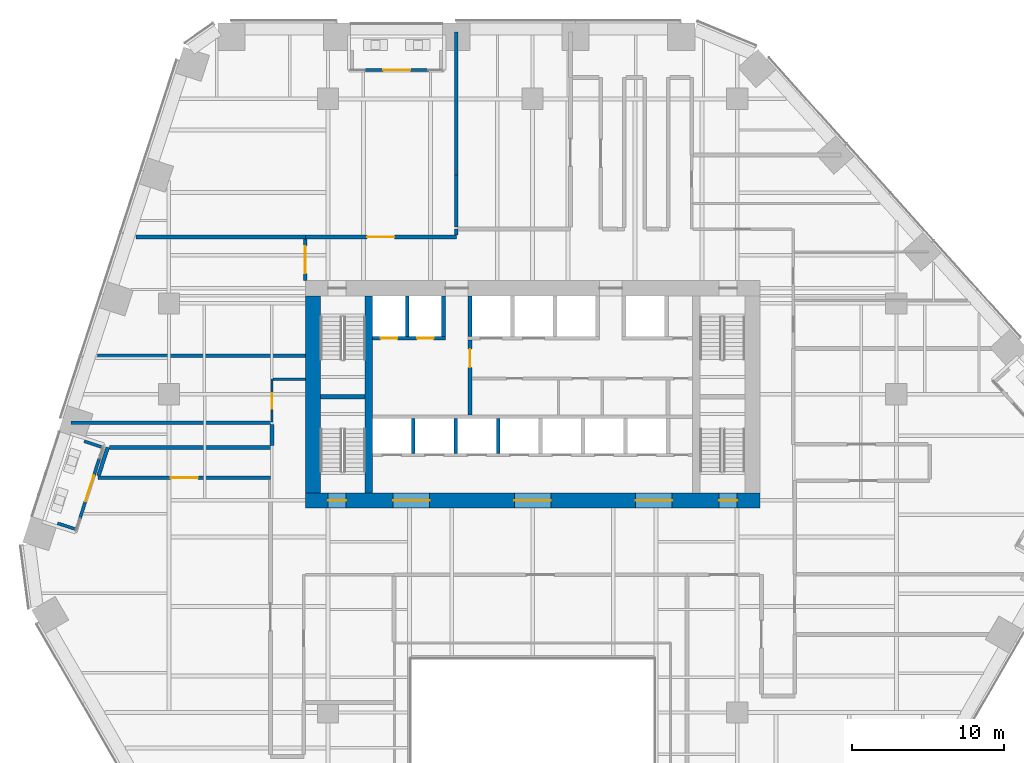
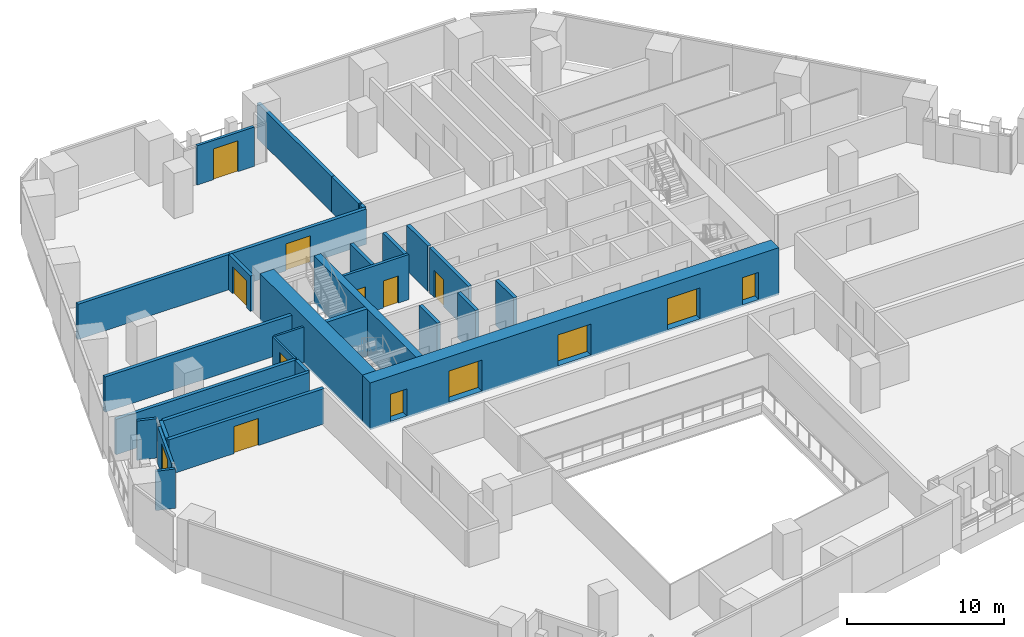
# One storey, part 23 of 31: 30 walls, 14 doors, 14 openings.
"""IFC4 building model written with IfcOpenShell, lengths in metres."""

from ifc_helpers import new_model, si_unit, direction, frame, frame_2d, origin, place, context, subcontext, project, spatial, rectangle, extrude, material, layer, layer_set, type_object, element, fill, save


model = new_model("IFC4")

# Units and contexts
model_context = context("Model", 3, precision=1e-05, world=origin(), true_north=direction((0.0, 1.0)))
body_context = subcontext(model_context, "Body", "Model", "MODEL_VIEW")
ifc_project = project(units=[si_unit("LENGTHUNIT", "METRE"), si_unit("AREAUNIT", "SQUARE_METRE"), si_unit("VOLUMEUNIT", "CUBIC_METRE"), si_unit("PLANEANGLEUNIT", "RADIAN"), si_unit("MASSUNIT", "GRAM", prefix="KILO")], contexts=[model_context])

# Site, building, storey
site_placement = place(None, origin())
site = spatial("IfcSite", under=ifc_project, at=site_placement, CompositionType="ELEMENT")
building_placement = place(site_placement, origin())
building = spatial("IfcBuilding", under=site, at=building_placement, Name="Isthmus Gate Tower", CompositionType="ELEMENT")
storey_placement = place(building_placement, frame((0.0, 0.0, 54.25)))
storey = spatial("IfcBuildingStorey", under=building, at=storey_placement, Name="L11", CompositionType="ELEMENT", Elevation=54.25)

# Wall, opening, door
ifc_material_1 = material(Name="Double-leaf acoustic stud wall, fire-rated", Category="gypsum")
ifc_layer_1 = layer(ifc_material_1, 0.25)
ifc_layer_set_1 = layer_set([ifc_layer_1], Name="ACOUSTIC WALL 250 60 MIN")
wall_type_1 = type_object("IfcWallType", Name="ACOUSTIC WALL 250 60 MIN", PredefinedType="PARTITIONING", material=ifc_layer_set_1)
wall_1_placement = place(storey_placement, frame((-17.300048828125, 2.0, 0.0), z_axis=(0.0, 0.0, 1.0), x_axis=(-1.0, 0.0, 0.0)))
wall_1 = element("IfcWall", 1, at=wall_1_placement, inside=storey, type_object=wall_type_1, Name="L11 Acoustic Wall 250 60 Min", PredefinedType="PARTITIONING", context=body_context, shape_type="SweptSolid", body=[
    extrude(rectangle(XDim=11.386962890625, YDim=0.25, at=frame_2d((5.693359375, 0.0))), origin(), (0.0, 0.0, 1.0), 2.7412109375),
])
opening_1_placement = place(wall_1_placement, frame((4.79345703125, 0.0, 0.0)))
opening_1 = element("IfcOpeningElement", 2, at=opening_1_placement, cuts=wall_1, Name="Opening DT-T1B-15", PredefinedType="OPENING", context=body_context, shape_type="SweptSolid", body=[
    extrude(rectangle(XDim=1.800048828125, YDim=2.10009765625, at=frame_2d((0.89990234375, 1.050048828125))), frame((0.0, 0.135009765625, 0.0), z_axis=(0.0, -1.0, 0.0), x_axis=(1.0, 0.0, 0.0)), (0.0, 0.0, 1.0), 0.27001953125),
])
ifc_material_2 = material(Name="Solid core timber door leaf, fire-rated", Category="wood")
door_type_1 = type_object("IfcDoorType", Name="FIRE DOOR ACOUSTIC ROOM 1800 X 2100 60 MIN", OperationType="DOUBLE_DOOR_DOUBLE_SWING", PredefinedType="DOOR", material=ifc_material_2)
door_1_placement = place(opening_1_placement, origin())
door_1 = element("IfcDoor", 3, at=door_1_placement, inside=storey, type_object=door_type_1, Name="L11 room door", OperationType="DOUBLE_DOOR_DOUBLE_SWING", OverallHeight=2.10009765625, OverallWidth=1.800048828125, PredefinedType="DOOR", context=body_context, shape_type="SweptSolid", body=[
    extrude(rectangle(XDim=1.800048828125, YDim=2.10009765625, at=frame_2d((0.89990234375, 1.050048828125))), frame((0.0, 0.02490234375, 0.0), z_axis=(0.0, -1.0, 0.0), x_axis=(1.0, 0.0, 0.0)), (0.0, 0.0, 1.0), 0.050048828125),
])
fill(opening_1, door_1)

wall_2_placement = place(storey_placement, frame((-15.0, 17.881103515625, 0.0), z_axis=(0.0, 0.0, 1.0), x_axis=(0.999999975691, -0.000220496356, 0.0)))
wall_2 = element("IfcWall", 4, at=wall_2_placement, inside=storey, type_object=wall_type_1, Name="L11 Acoustic Wall 250 60 Min", PredefinedType="PARTITIONING", context=body_context, shape_type="SweptSolid", body=[
    extrude(rectangle(XDim=9.965087890625, YDim=0.25, at=frame_2d((4.982421875, 0.0))), origin(), (0.0, 0.0, 1.0), 2.7412109375),
])
opening_2_placement = place(wall_2_placement, frame((4.08251953125, 0.0, 0.0)))
opening_2 = element("IfcOpeningElement", 5, at=opening_2_placement, cuts=wall_2, Name="Opening DT-T1B-01", PredefinedType="OPENING", context=body_context, shape_type="SweptSolid", body=[
    extrude(rectangle(XDim=1.800048828125, YDim=2.10009765625, at=frame_2d((0.89990234375, 1.050048828125))), frame((0.0, 0.135009765625, 0.0), z_axis=(0.0, -1.0, 0.0), x_axis=(1.0, 0.0, 0.0)), (0.0, 0.0, 1.0), 0.27001953125),
])
door_2_placement = place(opening_2_placement, origin())
door_2 = element("IfcDoor", 6, at=door_2_placement, inside=storey, type_object=door_type_1, Name="L11 room door", OperationType="DOUBLE_DOOR_DOUBLE_SWING", OverallHeight=2.10009765625, OverallWidth=1.800048828125, PredefinedType="DOOR", context=body_context, shape_type="SweptSolid", body=[
    extrude(rectangle(XDim=1.800048828125, YDim=2.10009765625, at=frame_2d((0.89990234375, 1.050048828125))), frame((0.0, 0.02490234375, 0.0), z_axis=(0.0, -1.0, 0.0), x_axis=(1.0, 0.0, 0.0)), (0.0, 0.0, 1.0), 0.050048828125),
])
fill(opening_2, door_2)

# Walls
wall_3_placement = place(storey_placement, frame((-5.034912109375, 18.00390625, 0.0), z_axis=(0.0, 0.0, 1.0), x_axis=(0.0, 1.0, 0.0)))
element("IfcWall", 7, at=wall_3_placement, inside=storey, type_object=wall_type_1, Name="L11 Acoustic Wall 250 60 Min", PredefinedType="PARTITIONING", context=body_context, shape_type="SweptSolid", body=[
    extrude(rectangle(XDim=0.39599609375, YDim=0.25, at=frame_2d((0.197998046875, 0.0))), origin(), (0.0, 0.0, 1.0), 2.7412109375),
])
wall_4_placement = place(storey_placement, frame((-5.037109375, 21.968017578125, 0.0), z_axis=(0.0, 0.0, 1.0), x_axis=(0.0, 1.0, 0.0)))
element("IfcWall", 8, at=wall_4_placement, inside=storey, type_object=wall_type_1, Name="L11 Acoustic Wall 250 60 Min", PredefinedType="PARTITIONING", context=body_context, shape_type="SweptSolid", body=[
    extrude(rectangle(XDim=9.431884765625, YDim=0.25, at=frame_2d((4.7158203125, 0.0))), origin(), (0.0, 0.0, 1.0), 2.7412109375),
])
wall_5_placement = place(storey_placement, frame((-26.169921875, 17.8828125, 0.0), z_axis=(0.0, 0.0, 1.0), x_axis=(0.999999988296, -0.000152998774, 0.0)))
element("IfcWall", 9, at=wall_5_placement, inside=storey, type_object=wall_type_1, Name="L11 Acoustic Wall 250 60 Min", PredefinedType="PARTITIONING", context=body_context, shape_type="SweptSolid", body=[
    extrude(rectangle(XDim=11.169921875, YDim=0.25, at=frame_2d((5.5849609375, 0.0))), origin(), (0.0, 0.0, 1.0), 2.7412109375),
])
wall_6_placement = place(storey_placement, frame((-5.037109375, 21.968017578125, 0.0), z_axis=(0.0, 0.0, 1.0), x_axis=(0.000567255103, -0.999999839111, 0.0)))
element("IfcWall", 10, at=wall_6_placement, inside=storey, type_object=wall_type_1, Name="L11 Acoustic Wall 250 60 Min", PredefinedType="PARTITIONING", context=body_context, shape_type="SweptSolid", body=[
    extrude(rectangle(XDim=3.443115234375, YDim=0.25, at=frame_2d((1.7216796875, 0.0))), origin(), (0.0, 0.0, 1.0), 2.7412109375),
])

# Wall, opening, door
wall_7_placement = place(storey_placement, frame((-15.001953125, 14.998046875, 0.0), z_axis=(0.0, 0.0, 1.0), x_axis=(0.000708152429, 0.99999974926, 0.0)))
wall_7 = element("IfcWall", 11, at=wall_7_placement, inside=storey, type_object=wall_type_1, Name="L11 Acoustic Wall 250 60 Min", PredefinedType="PARTITIONING", context=body_context, shape_type="SweptSolid", body=[
    extrude(rectangle(XDim=2.758056640625, YDim=0.25, at=frame_2d((1.37890625, 0.0))), origin(), (0.0, 0.0, 1.0), 2.7412109375),
])
opening_3_placement = place(wall_7_placement, frame((0.47900390625, 0.0, 0.0)))
opening_3 = element("IfcOpeningElement", 12, at=opening_3_placement, cuts=wall_7, Name="Opening DT-T1B-07", PredefinedType="OPENING", context=body_context, shape_type="SweptSolid", body=[
    extrude(rectangle(XDim=1.800048828125, YDim=2.10009765625, at=frame_2d((0.89990234375, 1.050048828125))), frame((0.0, 0.135009765625, 0.0), z_axis=(0.0, -1.0, 0.0), x_axis=(1.0, 0.0, 0.0)), (0.0, 0.0, 1.0), 0.27001953125),
])
door_3_placement = place(opening_3_placement, origin())
door_3 = element("IfcDoor", 13, at=door_3_placement, inside=storey, type_object=door_type_1, Name="L11 room door", OperationType="DOUBLE_DOOR_DOUBLE_SWING", OverallHeight=2.10009765625, OverallWidth=1.800048828125, PredefinedType="DOOR", context=body_context, shape_type="SweptSolid", body=[
    extrude(rectangle(XDim=1.800048828125, YDim=2.10009765625, at=frame_2d((0.89990234375, 1.050048828125))), frame((0.0, 0.02490234375, 0.0), z_axis=(0.0, -1.0, 0.0), x_axis=(1.0, 0.0, 0.0)), (0.0, 0.0, 1.0), 0.050048828125),
])
fill(opening_3, door_3)

# Walls
wall_8_placement = place(storey_placement, frame((-28.714111328125, 10.052001953125, 0.0), z_axis=(0.0, 0.0, 1.0), x_axis=(1.0, 0.0, 0.0)))
element("IfcWall", 14, at=wall_8_placement, inside=storey, type_object=wall_type_1, Name="L11 Acoustic Wall 250 60 Min", PredefinedType="PARTITIONING", context=body_context, shape_type="SweptSolid", body=[
    extrude(rectangle(XDim=13.714111328125, YDim=0.25, at=frame_2d((6.85693359375, 0.0))), origin(), (0.0, 0.0, 1.0), 2.7412109375),
])
wall_9_placement = place(storey_placement, frame((-30.450927734375, 5.6298828125, 0.0), z_axis=(0.0, 0.0, 1.0), x_axis=(1.0, 0.0, 0.0)))
element("IfcWall", 15, at=wall_9_placement, inside=storey, type_object=wall_type_1, Name="L11 Acoustic Wall 250 60 Min", PredefinedType="PARTITIONING", context=body_context, shape_type="SweptSolid", body=[
    extrude(rectangle(XDim=13.176025390625, YDim=0.25, at=frame_2d((6.587890625, 0.0))), origin(), (0.0, 0.0, 1.0), 2.7412109375),
])
wall_10_placement = place(storey_placement, frame((-28.646484375, 2.125, 0.0), z_axis=(0.0, 0.0, 1.0), x_axis=(0.309086072338, 0.951034068731, 0.0)))
element("IfcWall", 16, at=wall_10_placement, inside=storey, type_object=wall_type_1, Name="L11 Acoustic Wall 250 60 Min", PredefinedType="PARTITIONING", context=body_context, shape_type="SweptSolid", body=[
    extrude(rectangle(XDim=1.971435546875, YDim=0.25, at=frame_2d((0.98583984375, 0.0))), origin(), (0.0, 0.0, 1.0), 2.7412109375),
])
wall_11_placement = place(storey_placement, frame((-27.912109375, 4.0, 0.0), z_axis=(0.0, 0.0, 1.0), x_axis=(1.0, 0.0, 0.0)))
element("IfcWall", 17, at=wall_11_placement, inside=storey, type_object=wall_type_1, Name="L11 Acoustic Wall 250 60 Min", PredefinedType="PARTITIONING", context=body_context, shape_type="SweptSolid", body=[
    extrude(rectangle(XDim=10.712158203125, YDim=0.25, at=frame_2d((5.35595703125, 0.0))), origin(), (0.0, 0.0, 1.0), 2.7412109375),
])
wall_12_placement = place(storey_placement, frame((-17.199951171875, 4.125, 0.0), z_axis=(0.0, 0.0, 1.0), x_axis=(0.0, 1.0, 0.0)))
element("IfcWall", 18, at=wall_12_placement, inside=storey, type_object=wall_type_1, Name="L11 Acoustic Wall 250 60 Min", PredefinedType="PARTITIONING", context=body_context, shape_type="SweptSolid", body=[
    extrude(rectangle(XDim=1.3798828125, YDim=0.25, at=frame_2d((0.68994140625, 0.0))), origin(), (0.0, 0.0, 1.0), 2.7412109375),
])

# Wall, opening, door
ifc_material_3 = material(Name="Gypsum board on steel studs, fire-rated", Category="steel")
ifc_layer_2 = layer(ifc_material_3, 0.14990234375)
ifc_layer_set_2 = layer_set([ifc_layer_2], Name="CORRIDOR WALL 150 60 MIN")
wall_type_2 = type_object("IfcWallType", Name="CORRIDOR WALL 150 60 MIN", PredefinedType="PARTITIONING", material=ifc_layer_set_2)
wall_13_placement = place(storey_placement, frame((-17.199951171875, 5.679931640625, 0.0), z_axis=(0.0, 0.0, 1.0), x_axis=(0.0, 1.0, 0.0)))
wall_13 = element("IfcWall", 19, at=wall_13_placement, inside=storey, type_object=wall_type_2, Name="L11 Corridor Wall 150 60 Min", PredefinedType="PARTITIONING", context=body_context, shape_type="SweptSolid", body=[
    extrude(rectangle(XDim=2.820068359375, YDim=0.14990234375, at=frame_2d((1.41015625, 0.0))), origin(), (0.0, 0.0, 1.0), 2.7412109375),
])
opening_4_placement = place(wall_13_placement, frame((0.885009765625, 0.0, 0.0)))
opening_4 = element("IfcOpeningElement", 20, at=opening_4_placement, cuts=wall_13, Name="Opening DT-T1B-09", PredefinedType="OPENING", context=body_context, shape_type="SweptSolid", body=[
    extrude(rectangle(XDim=1.0, YDim=2.10009765625, at=frame_2d((0.5, 1.050048828125))), frame((0.0, 0.0849609375, 0.0), z_axis=(0.0, -1.0, 0.0), x_axis=(1.0, 0.0, 0.0)), (0.0, 0.0, 1.0), 0.169921875),
])
ifc_material_4 = material(Name="Solid core timber door leaf, fire-rated", Category="wood")
door_type_2 = type_object("IfcDoorType", Name="FIRE DOOR ROOM 1000 X 2100 60 MIN", OperationType="SINGLE_SWING_LEFT", PredefinedType="DOOR", material=ifc_material_4)
door_4_placement = place(opening_4_placement, origin())
door_4 = element("IfcDoor", 21, at=door_4_placement, inside=storey, type_object=door_type_2, Name="L11 room door", OperationType="SINGLE_SWING_RIGHT", OverallHeight=2.10009765625, OverallWidth=1.0, PredefinedType="DOOR", context=body_context, shape_type="SweptSolid", body=[
    extrude(rectangle(XDim=1.0, YDim=2.10009765625, at=frame_2d((0.5, 1.050048828125))), frame((0.0, 0.02490234375, 0.0), z_axis=(0.0, -1.0, 0.0), x_axis=(1.0, 0.0, 0.0)), (0.0, 0.0, 1.0), 0.050048828125),
])
fill(opening_4, door_4)

# Wall
wall_14_placement = place(storey_placement, frame((-17.125, 8.5, 0.0), z_axis=(0.0, 0.0, 1.0), x_axis=(1.0, 0.0, 0.0)))
element("IfcWall", 22, at=wall_14_placement, inside=storey, type_object=wall_type_2, Name="L11 Corridor Wall 150 60 Min", PredefinedType="PARTITIONING", context=body_context, shape_type="SweptSolid", body=[
    extrude(rectangle(XDim=2.125, YDim=0.14990234375, at=frame_2d((1.0625, 0.0))), origin(), (0.0, 0.0, 1.0), 2.7412109375),
])

# Wall, opening, door
ifc_material_5 = material(Name="Fire-rated blockwork masonry, 15 MPa", Category="masonry")
ifc_layer_3 = layer(ifc_material_5, 0.25)
ifc_layer_set_3 = layer_set([ifc_layer_3], Name="FIRE-FIGHTING LOBBY WALL 250 90 MIN")
wall_type_3 = type_object("IfcWallType", Name="FIRE-FIGHTING LOBBY WALL 250 90 MIN", PredefinedType="PARTITIONING", material=ifc_layer_set_3)
wall_15_placement = place(storey_placement, frame((-4.125, 6.14990234375, 0.0), z_axis=(0.0, 0.0, 1.0), x_axis=(0.0, 1.0, 0.0)))
wall_15 = element("IfcWall", 23, at=wall_15_placement, inside=storey, type_object=wall_type_3, Name="L11 FIRE-FIGHTING LOBBY WALL 250 90 MIN", PredefinedType="PARTITIONING", context=body_context, shape_type="SweptSolid", body=[
    extrude(rectangle(XDim=4.9501953125, YDim=0.25, at=frame_2d((2.47509765625, 0.0))), origin(), (0.0, 0.0, 1.0), 3.5),
])
opening_5_placement = place(wall_15_placement, frame((3.125, 0.0, 0.0)))
opening_5 = element("IfcOpeningElement", 24, at=opening_5_placement, cuts=wall_15, Name="Opening DC-A04-01", PredefinedType="OPENING", context=body_context, shape_type="SweptSolid", body=[
    extrude(rectangle(XDim=1.199951171875, YDim=2.10009765625, at=frame_2d((0.60009765625, 1.050048828125))), frame((0.0, 0.135009765625, 0.0), z_axis=(0.0, -1.0, 0.0), x_axis=(1.0, 0.0, 0.0)), (0.0, 0.0, 1.0), 0.27001953125),
])
ifc_material_6 = material(Name="Steel door leaf, fire-rated", Category="steel")
door_type_3 = type_object("IfcDoorType", Name="LOBBY FIRE DOOR 1200 X 2100 90 MIN", OperationType="DOUBLE_DOOR_SINGLE_SWING", PredefinedType="DOOR", material=ifc_material_6)
door_5_placement = place(opening_5_placement, origin())
door_5 = element("IfcDoor", 25, at=door_5_placement, inside=storey, type_object=door_type_3, Name="Fire-fighting Lobby Door", OperationType="SINGLE_SWING_LEFT", OverallHeight=2.10009765625, OverallWidth=1.199951171875, PredefinedType="DOOR", context=body_context, shape_type="SweptSolid", body=[
    extrude(rectangle(XDim=1.199951171875, YDim=2.10009765625, at=frame_2d((0.60009765625, 1.050048828125))), frame((0.0, 0.02490234375, 0.0), z_axis=(0.0, -1.0, 0.0), x_axis=(1.0, 0.0, 0.0)), (0.0, 0.0, 1.0), 0.050048828125),
])
fill(opening_5, door_5)

ifc_material_7 = material(Name="Precast concrete C40/50", Category="concrete")
ifc_layer_4 = layer(ifc_material_7, 0.199951171875)
ifc_layer_set_4 = layer_set([ifc_layer_4], Name="LOGGIA WALL 200")
wall_type_4 = type_object("IfcWallType", Name="LOGGIA WALL 200", PredefinedType="SOLIDWALL", material=ifc_layer_set_4)
wall_16_placement = place(storey_placement, frame((-6.8720703125, 28.89990234375, 0.0), z_axis=(0.0, 0.0, 1.0), x_axis=(-1.0, 0.0, 0.0)))
wall_16 = element("IfcWall", 26, at=wall_16_placement, inside=storey, type_object=wall_type_4, Name="LOGGIA BACK WALL", PredefinedType="SOLIDWALL", context=body_context, shape_type="SweptSolid", body=[
    extrude(rectangle(XDim=4.199951171875, YDim=0.199951171875, at=frame_2d((2.10009765625, 0.0))), origin(), (0.0, 0.0, 1.0), 3.050048828125),
])
opening_6_placement = place(wall_16_placement, frame((1.199951171875, 0.0, 0.0)))
opening_6 = element("IfcOpeningElement", 27, at=opening_6_placement, cuts=wall_16, Name="Opening DE11-01", PredefinedType="OPENING", context=body_context, shape_type="SweptSolid", body=[
    extrude(rectangle(XDim=1.800048828125, YDim=2.39990234375, at=frame_2d((0.89990234375, 1.199951171875))), frame((0.0, 0.10986328125, 0.0), z_axis=(0.0, -1.0, 0.0), x_axis=(1.0, 0.0, 0.0)), (0.0, 0.0, 1.0), 0.219970703125),
])
ifc_material_8 = material(Name="Aluminium, pale champagne anodised, laminated glass", Category="aluminium")
door_type_4 = type_object("IfcDoorType", Name="LOGGIA DOOR SLIDING 1800 X 2400", OperationType="DOUBLE_DOOR_SLIDING", PredefinedType="DOOR", material=ifc_material_8)
door_6_placement = place(opening_6_placement, origin())
door_6 = element("IfcDoor", 28, at=door_6_placement, inside=storey, type_object=door_type_4, Name="DOOR DE11-01", OperationType="SINGLE_SWING_LEFT", OverallHeight=2.39990234375, OverallWidth=1.800048828125, PredefinedType="DOOR", context=body_context, shape_type="SweptSolid", body=[
    extrude(rectangle(XDim=1.800048828125, YDim=2.39990234375, at=frame_2d((0.89990234375, 1.199951171875))), frame((0.0, 0.02490234375, 0.0), z_axis=(0.0, -1.0, 0.0), x_axis=(1.0, 0.0, 0.0)), (0.0, 0.0, 1.0), 0.050048828125),
])
fill(opening_6, door_6)

wall_17_placement = place(storey_placement, frame((-28.582763671875, 3.290771484375, 0.0), z_axis=(0.0, 0.0, 1.0), x_axis=(-0.30901640812, -0.951056706781, 0.0)))
wall_17 = element("IfcWall", 29, at=wall_17_placement, inside=storey, type_object=wall_type_4, Name="LOGGIA BACK WALL", PredefinedType="SOLIDWALL", context=body_context, shape_type="SweptSolid", body=[
    extrude(rectangle(XDim=4.199951171875, YDim=0.199951171875, at=frame_2d((2.10009765625, 0.0))), origin(), (0.0, 0.0, 1.0), 2.89990234375),
])
opening_7_placement = place(wall_17_placement, frame((1.199951171875, 0.0, 0.0)))
opening_7 = element("IfcOpeningElement", 30, at=opening_7_placement, cuts=wall_17, Name="Opening DE11-02", PredefinedType="OPENING", context=body_context, shape_type="SweptSolid", body=[
    extrude(rectangle(XDim=1.800048828125, YDim=2.39990234375, at=frame_2d((0.89990234375, 1.199951171875))), frame((0.0, 0.10986328125, 0.0), z_axis=(0.0, -1.0, 0.0), x_axis=(1.0, 0.0, 0.0)), (0.0, 0.0, 1.0), 0.219970703125),
])
door_7_placement = place(opening_7_placement, origin())
door_7 = element("IfcDoor", 31, at=door_7_placement, inside=storey, type_object=door_type_4, Name="DOOR DE11-02", OperationType="SINGLE_SWING_LEFT", OverallHeight=2.39990234375, OverallWidth=1.800048828125, PredefinedType="DOOR", context=body_context, shape_type="SweptSolid", body=[
    extrude(rectangle(XDim=1.800048828125, YDim=2.39990234375, at=frame_2d((0.89990234375, 1.199951171875))), frame((0.0, 0.02490234375, 0.0), z_axis=(0.0, -1.0, 0.0), x_axis=(1.0, 0.0, 0.0)), (0.0, 0.0, 1.0), 0.050048828125),
])
fill(opening_7, door_7)

# Walls
wall_18_placement = place(storey_placement, frame((-29.5888671875, 4.40087890625, 0.0), z_axis=(0.0, 0.0, 1.0), x_axis=(0.951052235057, -0.30903017036, 0.0)))
element("IfcWall", 32, at=wall_18_placement, inside=storey, type_object=wall_type_4, Name="LOGGIA SIDE WALL", PredefinedType="SOLIDWALL", context=body_context, shape_type="SweptSolid", body=[
    extrude(rectangle(XDim=1.28369140625, YDim=0.199951171875, at=frame_2d((0.641845703125, 0.0))), origin(), (0.0, 0.0, 1.0), 3.050048828125),
])
wall_19_placement = place(storey_placement, frame((-31.34716796875, -1.010009765625, 0.0), z_axis=(0.0, 0.0, 1.0), x_axis=(0.951070391529, -0.308974287532, 0.0)))
element("IfcWall", 33, at=wall_19_placement, inside=storey, type_object=wall_type_4, Name="LOGGIA SIDE WALL", PredefinedType="SOLIDWALL", context=body_context, shape_type="SweptSolid", body=[
    extrude(rectangle(XDim=1.283935546875, YDim=0.199951171875, at=frame_2d((0.64208984375, 0.0))), origin(), (0.0, 0.0, 1.0), 3.050048828125),
])
ifc_material_9 = material(Name="Concrete f'c 70 MPa", Category="concrete")
ifc_layer_5 = layer(ifc_material_9, 0.5)
ifc_layer_set_5 = layer_set([ifc_layer_5], Name="RC CORE SPINE WALL 500 F'C 70")
wall_type_5 = type_object("IfcWallType", Name="RC CORE SPINE WALL 500 F'C 70", PredefinedType="SOLIDWALL", material=ifc_layer_set_5)
wall_20_placement = place(storey_placement, frame((-10.800048828125, 1.0, -0.14990234375), z_axis=(0.0, 0.0, 1.0), x_axis=(0.0, 1.0, 0.0)))
element("IfcWall", 34, at=wall_20_placement, inside=storey, type_object=wall_type_5, Name="str-corewall-L11-SPW", PredefinedType="SOLIDWALL", context=body_context, shape_type="SweptSolid", body=[
    extrude(rectangle(XDim=13.0, YDim=0.5, at=frame_2d((6.5, 0.0))), origin(), (0.0, 0.0, 1.0), 3.64990234375),
])

# Wall, openings, doors
ifc_material_10 = material(Name="Concrete f'c 70 MPa", Category="concrete")
ifc_layer_6 = layer(ifc_material_10, 1.0)
ifc_layer_set_6 = layer_set([ifc_layer_6], Name="RC CORE WALL 1000 F'C 70")
wall_type_6 = type_object("IfcWallType", Name="RC CORE WALL 1000 F'C 70", PredefinedType="SOLIDWALL", material=ifc_layer_set_6)
wall_21_placement = place(storey_placement, frame((-15.0, 0.5, -0.14990234375), z_axis=(0.0, 0.0, 1.0), x_axis=(1.0, 0.0, 0.0)))
wall_21 = element("IfcWall", 35, at=wall_21_placement, inside=storey, type_object=wall_type_6, Name="str-corewall-L11-S", PredefinedType="SOLIDWALL", context=body_context, shape_type="SweptSolid", body=[
    extrude(rectangle(XDim=30.0, YDim=1.0, at=frame_2d((15.0, 0.0))), origin(), (0.0, 0.0, 1.0), 3.64990234375),
])
opening_8_placement = place(wall_21_placement, frame((5.800048828125, 0.0, 0.14990234375)))
opening_8 = element("IfcOpeningElement", 36, at=opening_8_placement, cuts=wall_21, Name="Opening DC-A04-08", PredefinedType="OPENING", context=body_context, shape_type="SweptSolid", body=[
    extrude(rectangle(XDim=2.39990234375, YDim=2.39990234375, at=frame_2d((1.199951171875, 1.199951171875))), frame((0.0, 0.510009765625, 0.0), z_axis=(0.0, -1.0, 0.0), x_axis=(1.0, 0.0, 0.0)), (0.0, 0.0, 1.0), 1.02001953125),
])
opening_9_placement = place(wall_21_placement, frame((13.800048828125, 0.0, 0.14990234375)))
opening_9 = element("IfcOpeningElement", 37, at=opening_9_placement, cuts=wall_21, Name="Opening DC-A04-09", PredefinedType="OPENING", context=body_context, shape_type="SweptSolid", body=[
    extrude(rectangle(XDim=2.39990234375, YDim=2.39990234375, at=frame_2d((1.199951171875, 1.199951171875))), frame((0.0, 0.510009765625, 0.0), z_axis=(0.0, -1.0, 0.0), x_axis=(1.0, 0.0, 0.0)), (0.0, 0.0, 1.0), 1.02001953125),
])
opening_10_placement = place(wall_21_placement, frame((21.800048828125, 0.0, 0.14990234375)))
opening_10 = element("IfcOpeningElement", 38, at=opening_10_placement, cuts=wall_21, Name="Opening DC-A04-10", PredefinedType="OPENING", context=body_context, shape_type="SweptSolid", body=[
    extrude(rectangle(XDim=2.39990234375, YDim=2.39990234375, at=frame_2d((1.199951171875, 1.199951171875))), frame((0.0, 0.510009765625, 0.0), z_axis=(0.0, -1.0, 0.0), x_axis=(1.0, 0.0, 0.0)), (0.0, 0.0, 1.0), 1.02001953125),
])
opening_11_placement = place(wall_21_placement, frame((1.5, 0.0, 0.14990234375)))
opening_11 = element("IfcOpeningElement", 39, at=opening_11_placement, cuts=wall_21, Name="Opening DC-A04-15", PredefinedType="OPENING", context=body_context, shape_type="SweptSolid", body=[
    extrude(rectangle(XDim=1.199951171875, YDim=2.10009765625, at=frame_2d((0.60009765625, 1.050048828125))), frame((0.0, 0.510009765625, 0.0), z_axis=(0.0, -1.0, 0.0), x_axis=(1.0, 0.0, 0.0)), (0.0, 0.0, 1.0), 1.02001953125),
])
opening_12_placement = place(wall_21_placement, frame((27.300048828125, 0.0, 0.14990234375)))
opening_12 = element("IfcOpeningElement", 40, at=opening_12_placement, cuts=wall_21, Name="Opening DC-A04-16", PredefinedType="OPENING", context=body_context, shape_type="SweptSolid", body=[
    extrude(rectangle(XDim=1.199951171875, YDim=2.10009765625, at=frame_2d((0.60009765625, 1.050048828125))), frame((0.0, 0.510009765625, 0.0), z_axis=(0.0, -1.0, 0.0), x_axis=(1.0, 0.0, 0.0)), (0.0, 0.0, 1.0), 1.02001953125),
])
ifc_material_11 = material(Name="Laminated safety glass in steel frame, fire-rated", Category="steel")
door_type_5 = type_object("IfcDoorType", Name="LOBBY ENTRANCE FIRE DOOR 2400 X 2400 60 MIN", OperationType="DOUBLE_DOOR_DOUBLE_SWING", PredefinedType="DOOR", material=ifc_material_11)
door_8_placement = place(opening_8_placement, origin())
door_8 = element("IfcDoor", 41, at=door_8_placement, inside=storey, type_object=door_type_5, Name="Lobby Entrance PS-W", OperationType="DOUBLE_DOOR_DOUBLE_SWING", OverallHeight=2.39990234375, OverallWidth=2.39990234375, PredefinedType="DOOR", context=body_context, shape_type="SweptSolid", body=[
    extrude(rectangle(XDim=2.39990234375, YDim=2.39990234375, at=frame_2d((1.199951171875, 1.199951171875))), frame((0.0, 0.02490234375, 0.0), z_axis=(0.0, -1.0, 0.0), x_axis=(1.0, 0.0, 0.0)), (0.0, 0.0, 1.0), 0.050048828125),
])
fill(opening_8, door_8)
door_9_placement = place(opening_9_placement, origin())
door_9 = element("IfcDoor", 42, at=door_9_placement, inside=storey, type_object=door_type_5, Name="Lobby Entrance PS-C", OperationType="DOUBLE_DOOR_DOUBLE_SWING", OverallHeight=2.39990234375, OverallWidth=2.39990234375, PredefinedType="DOOR", context=body_context, shape_type="SweptSolid", body=[
    extrude(rectangle(XDim=2.39990234375, YDim=2.39990234375, at=frame_2d((1.199951171875, 1.199951171875))), frame((0.0, 0.02490234375, 0.0), z_axis=(0.0, -1.0, 0.0), x_axis=(1.0, 0.0, 0.0)), (0.0, 0.0, 1.0), 0.050048828125),
])
fill(opening_9, door_9)
door_10_placement = place(opening_10_placement, origin())
door_10 = element("IfcDoor", 43, at=door_10_placement, inside=storey, type_object=door_type_5, Name="Lobby Entrance PS-E", OperationType="DOUBLE_DOOR_DOUBLE_SWING", OverallHeight=2.39990234375, OverallWidth=2.39990234375, PredefinedType="DOOR", context=body_context, shape_type="SweptSolid", body=[
    extrude(rectangle(XDim=2.39990234375, YDim=2.39990234375, at=frame_2d((1.199951171875, 1.199951171875))), frame((0.0, 0.02490234375, 0.0), z_axis=(0.0, -1.0, 0.0), x_axis=(1.0, 0.0, 0.0)), (0.0, 0.0, 1.0), 0.050048828125),
])
fill(opening_10, door_10)
ifc_material_12 = material(Name="Steel door leaf, fire-rated", Category="steel")
door_type_6 = type_object("IfcDoorType", Name="STAIR FIRE DOOR 1200 X 2100 90 MIN", OperationType="SINGLE_SWING_LEFT", PredefinedType="DOOR", material=ifc_material_12)
door_11_placement = place(opening_11_placement, origin())
door_11 = element("IfcDoor", 44, at=door_11_placement, inside=storey, type_object=door_type_6, Name="Exit Stair 7 Door", OperationType="SINGLE_SWING_LEFT", OverallHeight=2.10009765625, OverallWidth=1.199951171875, PredefinedType="DOOR", context=body_context, shape_type="SweptSolid", body=[
    extrude(rectangle(XDim=1.199951171875, YDim=2.10009765625, at=frame_2d((0.60009765625, 1.050048828125))), frame((0.0, 0.02490234375, 0.0), z_axis=(0.0, -1.0, 0.0), x_axis=(1.0, 0.0, 0.0)), (0.0, 0.0, 1.0), 0.050048828125),
])
fill(opening_11, door_11)
door_12_placement = place(opening_12_placement, origin())
door_12 = element("IfcDoor", 45, at=door_12_placement, inside=storey, type_object=door_type_6, Name="Exit Stair 8 Door", OperationType="SINGLE_SWING_RIGHT", OverallHeight=2.10009765625, OverallWidth=1.199951171875, PredefinedType="DOOR", context=body_context, shape_type="SweptSolid", body=[
    extrude(rectangle(XDim=1.199951171875, YDim=2.10009765625, at=frame_2d((0.60009765625, 1.050048828125))), frame((0.0, 0.02490234375, 0.0), z_axis=(0.0, -1.0, 0.0), x_axis=(1.0, 0.0, 0.0)), (0.0, 0.0, 1.0), 0.050048828125),
])
fill(opening_12, door_12)

# Wall
wall_22_placement = place(storey_placement, frame((-14.5, 1.0, -0.14990234375), z_axis=(0.0, 0.0, 1.0), x_axis=(0.0, 1.0, 0.0)))
element("IfcWall", 46, at=wall_22_placement, inside=storey, type_object=wall_type_6, Name="str-corewall-L11-W", PredefinedType="SOLIDWALL", context=body_context, shape_type="SweptSolid", body=[
    extrude(rectangle(XDim=13.0, YDim=1.0, at=frame_2d((6.5, 0.0))), origin(), (0.0, 0.0, 1.0), 3.64990234375),
])

# Wall, openings, doors
ifc_material_13 = material(Name="Fire-rated blockwork masonry, 15 MPa", Category="masonry")
ifc_layer_7 = layer(ifc_material_13, 0.199951171875)
ifc_layer_set_7 = layer_set([ifc_layer_7], Name="SHAFT FRONT WALL 200 120 MIN")
wall_type_7 = type_object("IfcWallType", Name="SHAFT FRONT WALL 200 120 MIN", PredefinedType="PARTITIONING", material=ifc_layer_set_7)
wall_23_placement = place(storey_placement, frame((-10.550048828125, 11.199951171875, 0.0), z_axis=(0.0, 0.0, 1.0), x_axis=(1.0, 0.0, 0.0)))
wall_23 = element("IfcWall", 47, at=wall_23_placement, inside=storey, type_object=wall_type_7, Name="L11 SHAFT FRONT WALL 200 120 MIN", PredefinedType="PARTITIONING", context=body_context, shape_type="SweptSolid", body=[
    extrude(rectangle(XDim=4.800048828125, YDim=0.199951171875, at=frame_2d((2.39990234375, 0.0))), origin(), (0.0, 0.0, 1.0), 3.5),
])
opening_13_placement = place(wall_23_placement, frame((0.52490234375, 0.0, 0.0)))
opening_13 = element("IfcOpeningElement", 48, at=opening_13_placement, cuts=wall_23, Name="Opening LD-LF1", PredefinedType="OPENING", context=body_context, shape_type="SweptSolid", body=[
    extrude(rectangle(XDim=1.10009765625, YDim=2.10009765625, at=frame_2d((0.550048828125, 1.050048828125))), frame((0.0, 0.10986328125, 0.0), z_axis=(0.0, -1.0, 0.0), x_axis=(1.0, 0.0, 0.0)), (0.0, 0.0, 1.0), 0.219970703125),
])
opening_14_placement = place(wall_23_placement, frame((2.925048828125, 0.0, 0.0)))
opening_14 = element("IfcOpeningElement", 49, at=opening_14_placement, cuts=wall_23, Name="Opening LD-LF2", PredefinedType="OPENING", context=body_context, shape_type="SweptSolid", body=[
    extrude(rectangle(XDim=1.10009765625, YDim=2.10009765625, at=frame_2d((0.550048828125, 1.050048828125))), frame((0.0, 0.10986328125, 0.0), z_axis=(0.0, -1.0, 0.0), x_axis=(1.0, 0.0, 0.0)), (0.0, 0.0, 1.0), 0.219970703125),
])
ifc_material_14 = material(Name="Stainless steel sliding leaf", Category="steel")
door_type_7 = type_object("IfcDoorType", Name="LIFT LANDING FIRE DOOR 1100 X 2100 90 MIN", OperationType="DOUBLE_DOOR_SLIDING", PredefinedType="DOOR", material=ifc_material_14)
door_13_placement = place(opening_13_placement, origin())
door_13 = element("IfcDoor", 50, at=door_13_placement, inside=storey, type_object=door_type_7, Name="Lift Landing Door LF1", OperationType="DOUBLE_DOOR_SLIDING", OverallHeight=2.10009765625, OverallWidth=1.10009765625, PredefinedType="DOOR", context=body_context, shape_type="SweptSolid", body=[
    extrude(rectangle(XDim=1.10009765625, YDim=2.10009765625, at=frame_2d((0.550048828125, 1.050048828125))), frame((0.0, 0.02490234375, 0.0), z_axis=(0.0, -1.0, 0.0), x_axis=(1.0, 0.0, 0.0)), (0.0, 0.0, 1.0), 0.050048828125),
])
fill(opening_13, door_13)
door_14_placement = place(opening_14_placement, origin())
door_14 = element("IfcDoor", 51, at=door_14_placement, inside=storey, type_object=door_type_7, Name="Lift Landing Door LF2", OperationType="DOUBLE_DOOR_SLIDING", OverallHeight=2.10009765625, OverallWidth=1.10009765625, PredefinedType="DOOR", context=body_context, shape_type="SweptSolid", body=[
    extrude(rectangle(XDim=1.10009765625, YDim=2.10009765625, at=frame_2d((0.550048828125, 1.050048828125))), frame((0.0, 0.02490234375, 0.0), z_axis=(0.0, -1.0, 0.0), x_axis=(1.0, 0.0, 0.0)), (0.0, 0.0, 1.0), 0.050048828125),
])
fill(opening_14, door_14)

# Walls
ifc_material_15 = material(Name="Fire-rated blockwork masonry, 15 MPa", Category="masonry")
ifc_layer_8 = layer(ifc_material_15, 0.25)
ifc_layer_set_8 = layer_set([ifc_layer_8], Name="SHAFT WALL 250 120 MIN")
wall_type_8 = type_object("IfcWallType", Name="SHAFT WALL 250 120 MIN", PredefinedType="PARTITIONING", material=ifc_layer_set_8)
for number, where, z_axis, x_axis, name in (
    (52, (-7.875, 3.60009765625, 0.0), (0.0, 0.0, 1.0), (0.0, 1.0, 0.0), "L11 SHAFT WALL 250 120 MIN"),
    (53, (-5.074951171875, 3.60009765625, 0.0), (0.0, 0.0, 1.0), (0.0, 1.0, 0.0), "L11 SHAFT WALL 250 120 MIN"),
    (54, (-2.27490234375, 3.60009765625, 0.0), (0.0, 0.0, 1.0), (0.0, 1.0, 0.0), "L11 SHAFT WALL 250 120 MIN"),
):
    element("IfcWall", number, at=place(storey_placement, frame(where, z_axis=z_axis, x_axis=x_axis)), inside=storey, type_object=wall_type_8, Name=name, PredefinedType="PARTITIONING", context=body_context, shape_type="SweptSolid", body=[
        extrude(rectangle(XDim=2.2998046875, YDim=0.25, at=frame_2d((1.14990234375, 0.0))), origin(), (0.0, 0.0, 1.0), 3.5),
    ])
for number, where, z_axis, x_axis, name in (
    (55, (-8.27490234375, 11.300048828125, 0.0), (0.0, 0.0, 1.0), (0.0, 1.0, 0.0), "L11 SHAFT WALL 250 120 MIN"),
    (56, (-5.875, 11.300048828125, 0.0), (0.0, 0.0, 1.0), (0.0, 1.0, 0.0), "L11 SHAFT WALL 250 120 MIN"),
    (57, (-4.125, 11.300048828125, 0.0), (0.0, 0.0, 1.0), (0.0, 1.0, 0.0), "L11 SHAFT WALL 250 120 MIN"),
):
    element("IfcWall", number, at=place(storey_placement, frame(where, z_axis=z_axis, x_axis=x_axis)), inside=storey, type_object=wall_type_8, Name=name, PredefinedType="PARTITIONING", context=body_context, shape_type="SweptSolid", body=[
        extrude(rectangle(XDim=2.699951171875, YDim=0.25, at=frame_2d((1.35009765625, 0.0))), origin(), (0.0, 0.0, 1.0), 3.5),
    ])
ifc_material_16 = material(Name="Concrete f'c 40 MPa", Category="concrete")
ifc_layer_9 = layer(ifc_material_16, 0.300048828125)
ifc_layer_set_9 = layer_set([ifc_layer_9], Name="STAIR ENCLOSURE WALL 300 180 MIN")
wall_type_9 = type_object("IfcWallType", Name="STAIR ENCLOSURE WALL 300 180 MIN", PredefinedType="SOLIDWALL", material=ifc_layer_set_9)
wall_24_placement = place(storey_placement, frame((-14.0, 7.35009765625, -0.14990234375), z_axis=(0.0, 0.0, 1.0), x_axis=(1.0, 0.0, 0.0)))
element("IfcWall", 58, at=wall_24_placement, inside=storey, type_object=wall_type_9, Name="L11 STAIR ENCLOSURE WALL 300 180 MIN", PredefinedType="SOLIDWALL", context=body_context, shape_type="SweptSolid", body=[
    extrude(rectangle(XDim=2.949951171875, YDim=0.300048828125, at=frame_2d((1.47509765625, 0.0))), origin(), (0.0, 0.0, 1.0), 3.64990234375),
])

save(model, "model.ifc")
